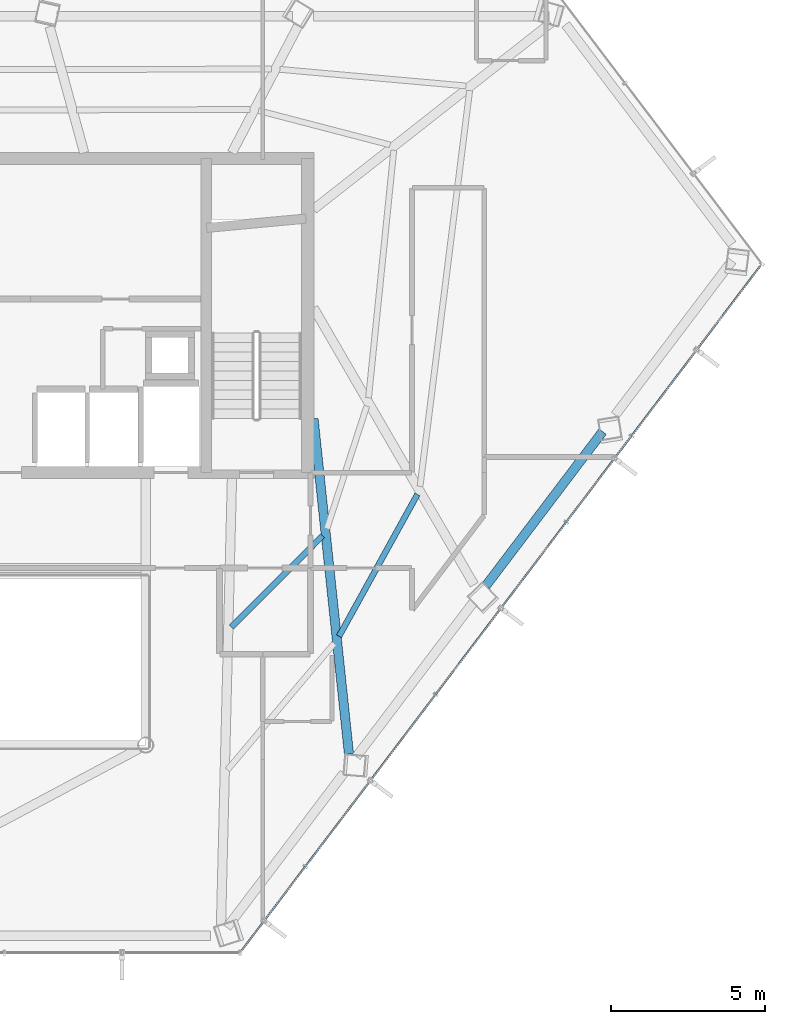
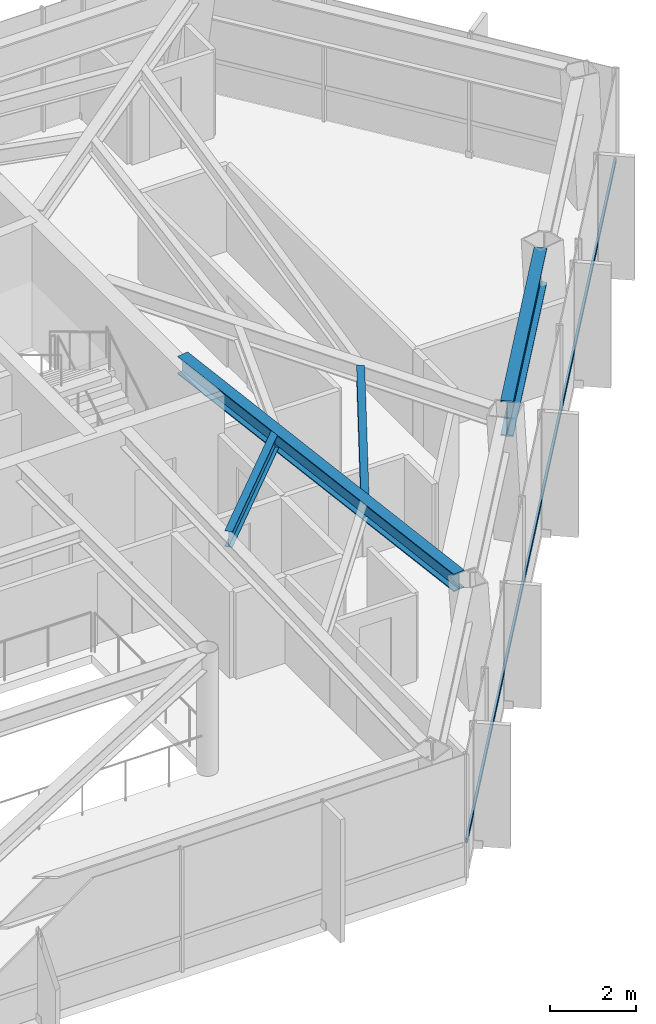
# One storey, part 17 of 27: 4 beams, 1 member, 1 element without a shape of its own.
"""IFC4 building model written with IfcOpenShell, lengths in metres."""

from ifc_helpers import new_model, si_unit, direction, frame, origin, origin_2d, place, context, subcontext, project, spatial, hollow_rectangle, i_section, extrude, material, layer, layer_set, material_profile, profile_set, type_object, element, aggregate, save


model = new_model("IFC4")

# Units and contexts
model_context = context("Model", 3, precision=1e-05, world=origin(), true_north=direction((0.0, 1.0)))
body_context = subcontext(model_context, "Body", "Model", "MODEL_VIEW")
ifc_project = project(units=[si_unit("LENGTHUNIT", "METRE"), si_unit("AREAUNIT", "SQUARE_METRE"), si_unit("VOLUMEUNIT", "CUBIC_METRE"), si_unit("PLANEANGLEUNIT", "RADIAN"), si_unit("MASSUNIT", "GRAM", prefix="KILO")], contexts=[model_context])

# Site, building, storey
site_placement = place(None, origin())
site = spatial("IfcSite", under=ifc_project, at=site_placement, CompositionType="ELEMENT")
building_placement = place(site_placement, origin())
building = spatial("IfcBuilding", under=site, at=building_placement, Name="Zarrinselat Tower", CompositionType="ELEMENT")
storey_placement = place(building_placement, frame((0.0, 0.0, 172.0400390625)))
storey = spatial("IfcBuildingStorey", under=building, at=storey_placement, Name="L42", CompositionType="ELEMENT", Elevation=172.0400390625)

# Beams
ifc_material_1 = material(Name="Steel S355J2", Category="steel")
ifc_material_profile_1 = material_profile(ifc_material_1, i_section(OverallWidth=0.300048828125, OverallDepth=0.5, WebThickness=0.014404296875, FlangeThickness=0.028076171875, at=origin_2d()), Name="HEB 500")
ifc_profile_set_1 = profile_set([ifc_material_profile_1], Name="Steel S355J2")
beam_type_1 = type_object("IfcBeamType", Name="BM-HEB500", PredefinedType="BEAM", material=ifc_profile_set_1)
beam_1_placement = place(storey_placement, frame((48.449951171875, 35.0, 3.25), z_axis=(0.10512552653, -0.994458960275, 0.0), x_axis=(0.994458960275, 0.10512552653, 0.0)))
element("IfcBeam", 1, at=beam_1_placement, inside=storey, type_object=beam_type_1, Name="L42 Radial Primary Girder RG12", PredefinedType="BEAM", context=body_context, shape_type="SweptSolid", body=[
    extrude(i_section(OverallWidth=0.300048828125, OverallDepth=0.5, WebThickness=0.014404296875, FlangeThickness=0.028076171875, at=origin_2d()), origin(), (0.0, 0.0, 1.0), 10.95703125),
])
ifc_material_2 = material(Name="Steel S460M", Category="steel")
ifc_material_profile_2 = material_profile(ifc_material_2, i_section(OverallWidth=0.302001953125, OverallDepth=1.008056640625, WebThickness=0.02099609375, FlangeThickness=0.0400390625, at=origin_2d()), Name="HEM 1000")
ifc_profile_set_2 = profile_set([ifc_material_profile_2], Name="Steel S460M")
beam_type_2 = type_object("IfcBeamType", Name="BM-HEM1000", PredefinedType="BEAM", material=ifc_profile_set_2)
beam_2_placement = place(storey_placement, frame((54.046142578125, 29.571533203125, 2.995849609375), z_axis=(0.603846469555, 0.797100646849, 0.0), x_axis=(-0.797100646849, 0.603846469555, 0.0)))
element("IfcBeam", 2, at=beam_2_placement, inside=storey, type_object=beam_type_2, Name="L42 Perimeter Spandrel Girder SP13", PredefinedType="BEAM", context=body_context, shape_type="SweptSolid", body=[
    extrude(i_section(OverallWidth=0.302001953125, OverallDepth=1.008056640625, WebThickness=0.02099609375, FlangeThickness=0.0400390625, at=origin_2d()), origin(), (0.0, 0.0, 1.0), 6.284912109375),
])
ifc_material_3 = material(Name="Steel S355J2", Category="steel")
ifc_material_profile_3 = material_profile(ifc_material_3, i_section(OverallWidth=0.18994140625, OverallDepth=0.449951171875, WebThickness=0.009521484375, FlangeThickness=0.0146484375, at=origin_2d()), Name="IPE 450")
ifc_profile_set_3 = profile_set([ifc_material_profile_3], Name="Steel S355J2")
beam_type_3 = type_object("IfcBeamType", Name="BM-IPE450", PredefinedType="JOIST", material=ifc_profile_set_3)
beam_3_placement = place(storey_placement, frame((45.77783203125, 28.22802734375, 3.27490234375), z_axis=(0.706699310823, 0.70751401688, 0.0), x_axis=(-0.70751401688, 0.706699310823, 0.0)))
element("IfcBeam", 3, at=beam_3_placement, inside=storey, type_object=beam_type_3, Name="L42 Composite Floor Joist 3-2", PredefinedType="JOIST", context=body_context, shape_type="SweptSolid", body=[
    extrude(i_section(OverallWidth=0.18994140625, OverallDepth=0.449951171875, WebThickness=0.009521484375, FlangeThickness=0.0146484375, at=origin_2d()), origin(), (0.0, 0.0, 1.0), 4.1953125),
])
beam_4_placement = place(storey_placement, frame((49.27783203125, 27.930908203125, 3.27490234375), z_axis=(0.483453446077, 0.875370073441, 0.0), x_axis=(-0.875370073441, 0.483453446077, 0.0)))
element("IfcBeam", 4, at=beam_4_placement, inside=storey, type_object=beam_type_3, Name="L42 Composite Floor Joist 4-1", PredefinedType="JOIST", context=body_context, shape_type="SweptSolid", body=[
    extrude(i_section(OverallWidth=0.18994140625, OverallDepth=0.449951171875, WebThickness=0.009521484375, FlangeThickness=0.0146484375, at=origin_2d()), origin(), (0.0, 0.0, 1.0), 5.267578125),
])

# Curtain wall, member
ifc_material_4 = material(Name="Extruded Aluminium Alloy EN AW-6063 T6", Category="aluminium")
ifc_layer = layer(ifc_material_4, 0.175048828125)
ifc_layer_set = layer_set([ifc_layer], Name="Extruded Aluminium Alloy EN AW-6063 T6")
curtain_wall_type = type_object("IfcCurtainWallType", Name="CWS-HTL", PredefinedType="NOTDEFINED", material=ifc_layer_set)
curtain_wall_placement = place(storey_placement, origin())
curtain_wall = element("IfcCurtainWall", 5, at=curtain_wall_placement, inside=storey, type_object=curtain_wall_type, Name="L42 Unitised Curtain Wall CW-L42-E05", PredefinedType="NOTDEFINED")
ifc_material_5 = material(Name="Extruded Aluminium Alloy EN AW-6063 T6", Category="aluminium")
ifc_material_profile_4 = material_profile(ifc_material_5, hollow_rectangle(XDim=0.06005859375, YDim=0.1201171875, WallThickness=0.00390625, at=origin_2d()), Name="RHS 120x60x4")
ifc_profile_set_4 = profile_set([ifc_material_profile_4], Name="Extruded Aluminium Alloy EN AW-6063 T6")
member_type = type_object("IfcMemberType", Name="MEM-CW-TRN2", PredefinedType="USERDEFINED", material=ifc_profile_set_4)
member_placement = place(storey_placement, frame((46.11669921875, 17.72509765625, 0.949951171875), z_axis=(0.603860383856, 0.797090105828, 0.0), x_axis=(-0.797090105828, 0.603860383856, 0.0)))
member = element("IfcMember", 6, at=member_placement, type_object=member_type, Name="CW-L42-E05 Transom 1", ObjectType="TRANSOM", PredefinedType="USERDEFINED", context=body_context, shape_type="SweptSolid", body=[
    extrude(hollow_rectangle(XDim=0.06005859375, YDim=0.1201171875, WallThickness=0.00390625, at=origin_2d()), origin(), (0.0, 0.0, 1.0), 27.8974609375),
])
aggregate(curtain_wall, [member])

save(model, "model.ifc")
